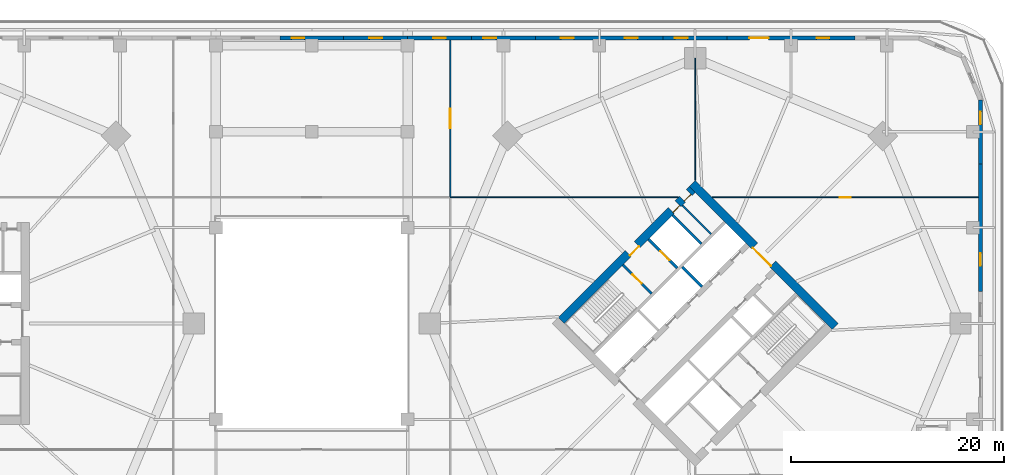
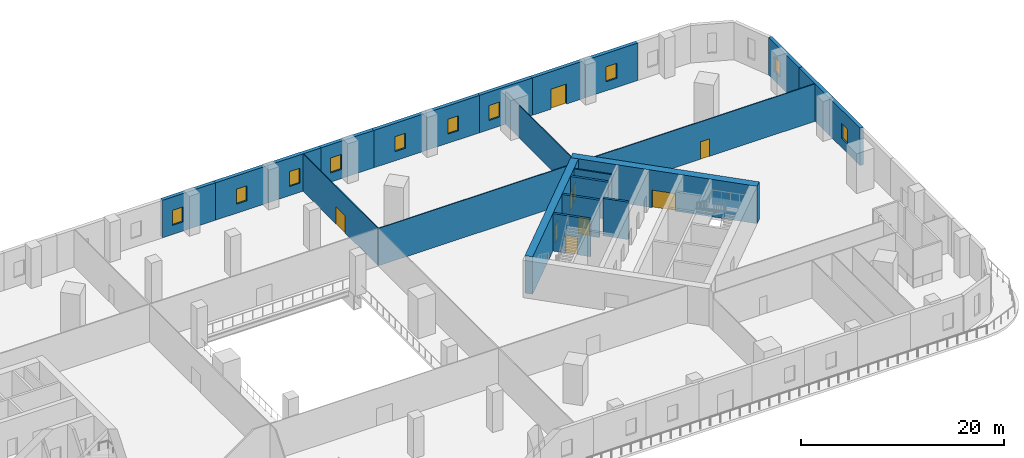
# One storey, part 10 of 16: 23 walls, 10 windows, 9 doors, 19 openings.
"""IFC4 building model written with IfcOpenShell, lengths in metres."""

from ifc_helpers import new_model, si_unit, direction, frame, frame_2d, origin, place, context, subcontext, project, spatial, rectangle, extrude, material, layer, layer_set, type_object, element, fill, save


model = new_model("IFC4")

# Units and contexts
model_context = context("Model", 3, precision=1e-05, world=origin(), true_north=direction((0.0, 1.0)))
body_context = subcontext(model_context, "Body", "Model", "MODEL_VIEW")
ifc_project = project(units=[si_unit("LENGTHUNIT", "METRE"), si_unit("AREAUNIT", "SQUARE_METRE"), si_unit("VOLUMEUNIT", "CUBIC_METRE"), si_unit("PLANEANGLEUNIT", "RADIAN"), si_unit("MASSUNIT", "GRAM", prefix="KILO")], contexts=[model_context])

# Site, building, storey
site_placement = place(None, origin())
site = spatial("IfcSite", under=ifc_project, at=site_placement, CompositionType="ELEMENT")
building_placement = place(site_placement, origin())
building = spatial("IfcBuilding", under=site, at=building_placement, Name="Ogive Gate Towers", CompositionType="ELEMENT")
storey_placement = place(building_placement, frame((0.0, 0.0, 22.800048828125)))
storey = spatial("IfcBuildingStorey", under=building, at=storey_placement, Name="L04", CompositionType="ELEMENT", Elevation=22.800048828125)

# Wall, openings, doors
ifc_material_1 = material(Name="Concrete C60/75", Category="concrete")
ifc_layer_1 = layer(ifc_material_1, 0.800048828125)
ifc_layer_set_1 = layer_set([ifc_layer_1], Name="Core wall 800 mm")
wall_type_1 = type_object("IfcWallType", Name="Core wall 800 mm", PredefinedType="SHEAR", material=ifc_layer_set_1)
wall_1_placement = place(storey_placement, frame((23.41357421875, 0.28271484375, 0.0), z_axis=(0.0, 0.0, 1.0), x_axis=(0.707106781187, 0.707106781187, 0.0)))
wall_1 = element("IfcWall", 1, at=wall_1_placement, inside=storey, type_object=wall_type_1, Name="T2 L04 Core wall 800 mm", PredefinedType="SHEAR", context=body_context, shape_type="SweptSolid", body=[
    extrude(rectangle(XDim=17.400146484375, YDim=0.800048828125, at=frame_2d((8.7001953125, 0.0))), origin(), (0.0, 0.0, 1.0), 4.5),
])
opening_1_placement = place(wall_1_placement, frame((8.89990234375, 0.0, 0.0)))
opening_1 = element("IfcOpeningElement", 2, at=opening_1_placement, cuts=wall_1, Name="Opening KD-T2-L04-15", PredefinedType="OPENING", context=body_context, shape_type="SweptSolid", body=[
    extrude(rectangle(XDim=1.199951171875, YDim=2.10009765625, at=frame_2d((0.60009765625, 1.050048828125))), frame((0.0, 0.41015625, 0.0), z_axis=(0.0, -1.0, 0.0), x_axis=(1.0, 0.0, 0.0)), (0.0, 0.0, 1.0), 0.820068359375),
])
opening_2_placement = place(wall_1_placement, frame((14.60009765625, 0.0, 0.0)))
opening_2 = element("IfcOpeningElement", 3, at=opening_2_placement, cuts=wall_1, Name="Opening KD-T2-L04-17", PredefinedType="OPENING", context=body_context, shape_type="SweptSolid", body=[
    extrude(rectangle(XDim=0.89990234375, YDim=2.10009765625, at=frame_2d((0.449951171875, 1.050048828125))), frame((0.0, 0.41015625, 0.0), z_axis=(0.0, -1.0, 0.0), x_axis=(1.0, 0.0, 0.0)), (0.0, 0.0, 1.0), 0.820068359375),
])
opening_3_placement = place(wall_1_placement, frame((16.10009765625, 0.0, 0.0)))
opening_3 = element("IfcOpeningElement", 4, at=opening_3_placement, cuts=wall_1, Name="Opening KD-T2-L04-18", PredefinedType="OPENING", context=body_context, shape_type="SweptSolid", body=[
    extrude(rectangle(XDim=0.89990234375, YDim=2.10009765625, at=frame_2d((0.449951171875, 1.050048828125))), frame((0.0, 0.41015625, 0.0), z_axis=(0.0, -1.0, 0.0), x_axis=(1.0, 0.0, 0.0)), (0.0, 0.0, 1.0), 0.820068359375),
])
ifc_material_2 = material(Name="Timber door", Category="wood")
door_type_1 = type_object("IfcDoorType", Name="Core WC door 900 x 2100", OperationType="NOTDEFINED", PredefinedType="DOOR", material=ifc_material_2)
door_1_placement = place(opening_2_placement, origin())
door_1 = element("IfcDoor", 5, at=door_1_placement, inside=storey, type_object=door_type_1, Name="T2 L04 Core door", OperationType="SINGLE_SWING_RIGHT", OverallHeight=2.10009765625, OverallWidth=0.89990234375, PredefinedType="DOOR", context=body_context, shape_type="SweptSolid", body=[
    extrude(rectangle(XDim=0.89990234375, YDim=2.10009765625, at=frame_2d((0.449951171875, 1.050048828125))), frame((0.0, -0.22509765625, 0.0), z_axis=(0.0, -1.0, 0.0), x_axis=(1.0, 0.0, 0.0)), (0.0, 0.0, 1.0), 0.050048828125),
])
fill(opening_2, door_1)
door_2_placement = place(opening_3_placement, origin())
door_2 = element("IfcDoor", 6, at=door_2_placement, inside=storey, type_object=door_type_1, Name="T2 L04 Core door", OperationType="SINGLE_SWING_LEFT", OverallHeight=2.10009765625, OverallWidth=0.89990234375, PredefinedType="DOOR", context=body_context, shape_type="SweptSolid", body=[
    extrude(rectangle(XDim=0.89990234375, YDim=2.10009765625, at=frame_2d((0.449951171875, 1.050048828125))), frame((0.0, -0.22509765625, 0.0), z_axis=(0.0, -1.0, 0.0), x_axis=(1.0, 0.0, 0.0)), (0.0, 0.0, 1.0), 0.050048828125),
])
fill(opening_3, door_2)
ifc_material_3 = material(Name="Steel fire door", Category="steel")
door_type_2 = type_object("IfcDoorType", Name="Core door FD60S 1200 x 2100", OperationType="NOTDEFINED", PredefinedType="DOOR", material=ifc_material_3)
door_3_placement = place(opening_1_placement, origin())
door_3 = element("IfcDoor", 7, at=door_3_placement, inside=storey, type_object=door_type_2, Name="T2 L04 Fire-fighting lobby door", OperationType="SINGLE_SWING_RIGHT", OverallHeight=2.10009765625, OverallWidth=1.199951171875, PredefinedType="DOOR", context=body_context, shape_type="SweptSolid", body=[
    extrude(rectangle(XDim=1.199951171875, YDim=2.10009765625, at=frame_2d((0.60009765625, 1.050048828125))), frame((0.0, -0.22509765625, 0.0), z_axis=(0.0, -1.0, 0.0), x_axis=(1.0, 0.0, 0.0)), (0.0, 0.0, 1.0), 0.050048828125),
])
fill(opening_1, door_3)

# Wall, opening, door
wall_2_placement = place(storey_placement, frame((49.152099609375, -0.28271484375, 0.0), z_axis=(0.0, 0.0, 1.0), x_axis=(-0.707106781187, 0.707106781187, 0.0)))
wall_2 = element("IfcWall", 8, at=wall_2_placement, inside=storey, type_object=wall_type_1, Name="T2 L04 Core wall 800 mm", PredefinedType="SHEAR", context=body_context, shape_type="SweptSolid", body=[
    extrude(rectangle(XDim=18.999755859375, YDim=0.800048828125, at=frame_2d((9.5, 0.0))), origin(), (0.0, 0.0, 1.0), 4.5),
])
opening_4_placement = place(wall_2_placement, frame((8.300048828125, 0.0, 0.0)))
opening_4 = element("IfcOpeningElement", 9, at=opening_4_placement, cuts=wall_2, Name="Opening KD-T2-L04-02", PredefinedType="OPENING", context=body_context, shape_type="SweptSolid", body=[
    extrude(rectangle(XDim=2.39990234375, YDim=2.10009765625, at=frame_2d((1.199951171875, 1.050048828125))), frame((0.0, 0.41015625, 0.0), z_axis=(0.0, -1.0, 0.0), x_axis=(1.0, 0.0, 0.0)), (0.0, 0.0, 1.0), 0.820068359375),
])
door_type_3 = type_object("IfcDoorType", Name="Core double door FD60S 2400 x 2100", OperationType="DOUBLE_DOOR_SINGLE_SWING", PredefinedType="DOOR", material=ifc_material_3)
door_4_placement = place(opening_4_placement, origin())
door_4 = element("IfcDoor", 10, at=door_4_placement, inside=storey, type_object=door_type_3, Name="T2 L04 Core door double", OperationType="DOUBLE_DOOR_SINGLE_SWING", OverallHeight=2.10009765625, OverallWidth=2.39990234375, PredefinedType="DOOR", context=body_context, shape_type="SweptSolid", body=[
    extrude(rectangle(XDim=2.39990234375, YDim=2.10009765625, at=frame_2d((1.199951171875, 1.050048828125))), frame((0.0, 0.27490234375, 0.0), z_axis=(0.0, -1.0, 0.0), x_axis=(1.0, 0.0, 0.0)), (0.0, 0.0, 1.0), 0.050048828125),
])
fill(opening_4, door_4)

ifc_material_4 = material(Name="Gypsum board partition")
ifc_layer_2 = layer(ifc_material_4, 0.10009765625)
ifc_layer_set_2 = layer_set([ifc_layer_2], Name="Partition wall 100")
wall_type_2 = type_object("IfcWallType", Name="Partition wall 100", PredefinedType="PARTITIONING", material=ifc_layer_set_2)
wall_3_placement = place(storey_placement, frame((13.0, 11.89990234375, 0.0), z_axis=(0.0, 0.0, 1.0), x_axis=(0.0, 1.0, 0.0)))
wall_3 = element("IfcWall", 11, at=wall_3_placement, inside=storey, type_object=wall_type_2, Name="L04 partition 023", PredefinedType="PARTITIONING", context=body_context, shape_type="SweptSolid", body=[
    extrude(rectangle(XDim=14.7001953125, YDim=0.10009765625, at=frame_2d((7.35009765625, 0.0))), origin(), (0.0, 0.0, 1.0), 4.5),
])
opening_5_placement = place(wall_3_placement, frame((6.449951171875, 0.0, 0.0)))
opening_5 = element("IfcOpeningElement", 12, at=opening_5_placement, cuts=wall_3, Name="Opening PO202", PredefinedType="OPENING", context=body_context, shape_type="SweptSolid", body=[
    extrude(rectangle(XDim=1.800048828125, YDim=2.10009765625, at=frame_2d((0.89990234375, 1.050048828125))), frame((0.0, 0.06005859375, 0.0), z_axis=(0.0, -1.0, 0.0), x_axis=(1.0, 0.0, 0.0)), (0.0, 0.0, 1.0), 0.1201171875),
])
door_type_4 = type_object("IfcDoorType", Name="Double door 1800 x 2100", OperationType="NOTDEFINED", PredefinedType="DOOR", material=ifc_material_2)
door_5_placement = place(opening_5_placement, origin())
door_5 = element("IfcDoor", 13, at=door_5_placement, inside=storey, type_object=door_type_4, Name="Door PO202", OperationType="DOUBLE_DOOR_DOUBLE_SWING", OverallHeight=2.10009765625, OverallWidth=1.800048828125, PredefinedType="DOOR", context=body_context, shape_type="SweptSolid", body=[
    extrude(rectangle(XDim=1.800048828125, YDim=2.10009765625, at=frame_2d((0.89990234375, 1.050048828125))), frame((0.0, 0.02490234375, 0.0), z_axis=(0.0, -1.0, 0.0), x_axis=(1.0, 0.0, 0.0)), (0.0, 0.0, 1.0), 0.050048828125),
])
fill(opening_5, door_5)

# Walls
wall_4_placement = place(storey_placement, frame((36.0, 13.43505859375, 0.0), z_axis=(0.0, 0.0, 1.0), x_axis=(0.0, 1.0, 0.0)))
element("IfcWall", 14, at=wall_4_placement, inside=storey, type_object=wall_type_2, Name="L04 partition 029", PredefinedType="PARTITIONING", context=body_context, shape_type="SweptSolid", body=[
    extrude(rectangle(XDim=13.1650390625, YDim=0.10009765625, at=frame_2d((6.58251953125, 0.0))), origin(), (0.0, 0.0, 1.0), 3.89990234375),
])
wall_5_placement = place(storey_placement, frame((13.0, 11.85009765625, 0.0), z_axis=(0.0, 0.0, 1.0), x_axis=(1.0, 0.0, 0.0)))
element("IfcWall", 15, at=wall_5_placement, inside=storey, type_object=wall_type_2, Name="L04 partition 030", PredefinedType="PARTITIONING", context=body_context, shape_type="SweptSolid", body=[
    extrude(rectangle(XDim=21.4150390625, YDim=0.10009765625, at=frame_2d((10.70751953125, 0.0))), origin(), (0.0, 0.0, 1.0), 4.5),
])

# Wall, opening, door
wall_6_placement = place(storey_placement, frame((37.5849609375, 11.85009765625, 0.0), z_axis=(0.0, 0.0, 1.0), x_axis=(1.0, 0.0, 0.0)))
wall_6 = element("IfcWall", 16, at=wall_6_placement, inside=storey, type_object=wall_type_2, Name="L04 partition 031", PredefinedType="PARTITIONING", context=body_context, shape_type="SweptSolid", body=[
    extrude(rectangle(XDim=25.01513671875, YDim=0.10009765625, at=frame_2d((12.507568359375, 0.0))), origin(), (0.0, 0.0, 1.0), 4.5),
])
opening_6_placement = place(wall_6_placement, frame((12.007568359375, 0.0, 0.0)))
opening_6 = element("IfcOpeningElement", 17, at=opening_6_placement, cuts=wall_6, Name="Opening PO203", PredefinedType="OPENING", context=body_context, shape_type="SweptSolid", body=[
    extrude(rectangle(XDim=1.0, YDim=2.10009765625, at=frame_2d((0.5, 1.050048828125))), frame((0.0, 0.06005859375, 0.0), z_axis=(0.0, -1.0, 0.0), x_axis=(1.0, 0.0, 0.0)), (0.0, 0.0, 1.0), 0.1201171875),
])
door_type_5 = type_object("IfcDoorType", Name="Door 1000 x 2100", OperationType="NOTDEFINED", PredefinedType="DOOR", material=ifc_material_2)
door_6_placement = place(opening_6_placement, origin())
door_6 = element("IfcDoor", 18, at=door_6_placement, inside=storey, type_object=door_type_5, Name="Door PO203", OperationType="SINGLE_SWING_LEFT", OverallHeight=2.10009765625, OverallWidth=1.0, PredefinedType="DOOR", context=body_context, shape_type="SweptSolid", body=[
    extrude(rectangle(XDim=1.0, YDim=2.10009765625, at=frame_2d((0.5, 1.050048828125))), frame((0.0, 0.02490234375, 0.0), z_axis=(0.0, -1.0, 0.0), x_axis=(1.0, 0.0, 0.0)), (0.0, 0.0, 1.0), 0.050048828125),
])
fill(opening_6, door_6)

# Wall, opening, window
ifc_material_5 = material(Name="Precast concrete C40/50", Category="concrete")
ifc_layer_3 = layer(ifc_material_5, 0.39990234375)
ifc_layer_set_3 = layer_set([ifc_layer_3], Name="Podium wall 400")
wall_type_3 = type_object("IfcWallType", Name="Podium wall 400", PredefinedType="SOLIDWALL", material=ifc_layer_set_3)
wall_7_placement = place(storey_placement, frame((62.800048828125, 3.0, 0.0), z_axis=(0.0, 0.0, 1.0), x_axis=(0.0, 1.0, 0.0)))
wall_7 = element("IfcWall", 19, at=wall_7_placement, inside=storey, type_object=wall_type_3, Name="Podium wall", PredefinedType="SOLIDWALL", context=body_context, shape_type="SweptSolid", body=[
    extrude(rectangle(XDim=6.0, YDim=0.39990234375, at=frame_2d((3.0, 0.0))), origin(), (0.0, 0.0, 1.0), 4.5),
])
opening_7_placement = place(wall_7_placement, frame((2.39990234375, 0.0, 1.10009765625)))
opening_7 = element("IfcOpeningElement", 20, at=opening_7_placement, cuts=wall_7, Name="Opening WN3", PredefinedType="OPENING", context=body_context, shape_type="SweptSolid", body=[
    extrude(rectangle(XDim=1.199951171875, YDim=1.800048828125, at=frame_2d((0.60009765625, 0.89990234375))), frame((0.0, 0.2099609375, 0.0), z_axis=(0.0, -1.0, 0.0), x_axis=(1.0, 0.0, 0.0)), (0.0, 0.0, 1.0), 0.419921875),
])
ifc_material_6 = material(Name="Clear glass", Category="glass")
window_type = type_object("IfcWindowType", Name="Podium window 1200 x 1800", PartitioningType="SINGLE_PANEL", PredefinedType="WINDOW", material=ifc_material_6)
window_1_placement = place(opening_7_placement, origin())
window_1 = element("IfcWindow", 21, at=window_1_placement, inside=storey, type_object=window_type, Name="Podium window", OverallHeight=1.800048828125, OverallWidth=1.199951171875, PartitioningType="SINGLE_PANEL", PredefinedType="WINDOW", context=body_context, shape_type="SweptSolid", body=[
    extrude(rectangle(XDim=1.199951171875, YDim=1.800048828125, at=frame_2d((0.60009765625, 0.89990234375))), frame((0.0, 0.030029296875, 0.0), z_axis=(0.0, -1.0, 0.0), x_axis=(1.0, 0.0, 0.0)), (0.0, 0.0, 1.0), 0.06005859375),
])
fill(opening_7, window_1)

# Wall
wall_8_placement = place(storey_placement, frame((62.800048828125, 9.0, 0.0), z_axis=(0.0, 0.0, 1.0), x_axis=(0.0, 1.0, 0.0)))
element("IfcWall", 22, at=wall_8_placement, inside=storey, type_object=wall_type_3, Name="Podium wall", PredefinedType="SOLIDWALL", context=body_context, shape_type="SweptSolid", body=[
    extrude(rectangle(XDim=6.0, YDim=0.39990234375, at=frame_2d((3.0, 0.0))), origin(), (0.0, 0.0, 1.0), 4.5),
])

# Wall, opening, window
wall_9_placement = place(storey_placement, frame((62.800048828125, 15.0, 0.0), z_axis=(0.0, 0.0, 1.0), x_axis=(0.0, 1.0, 0.0)))
wall_9 = element("IfcWall", 23, at=wall_9_placement, inside=storey, type_object=wall_type_3, Name="Podium wall", PredefinedType="SOLIDWALL", context=body_context, shape_type="SweptSolid", body=[
    extrude(rectangle(XDim=6.0, YDim=0.39990234375, at=frame_2d((3.0, 0.0))), origin(), (0.0, 0.0, 1.0), 4.5),
])
opening_8_placement = place(wall_9_placement, frame((3.699951171875, 0.0, 1.10009765625)))
opening_8 = element("IfcOpeningElement", 24, at=opening_8_placement, cuts=wall_9, Name="Opening WN3", PredefinedType="OPENING", context=body_context, shape_type="SweptSolid", body=[
    extrude(rectangle(XDim=1.199951171875, YDim=1.800048828125, at=frame_2d((0.60009765625, 0.89990234375))), frame((0.0, 0.2099609375, 0.0), z_axis=(0.0, -1.0, 0.0), x_axis=(1.0, 0.0, 0.0)), (0.0, 0.0, 1.0), 0.419921875),
])
window_2_placement = place(opening_8_placement, origin())
window_2 = element("IfcWindow", 25, at=window_2_placement, inside=storey, type_object=window_type, Name="Podium window", OverallHeight=1.800048828125, OverallWidth=1.199951171875, PartitioningType="SINGLE_PANEL", PredefinedType="WINDOW", context=body_context, shape_type="SweptSolid", body=[
    extrude(rectangle(XDim=1.199951171875, YDim=1.800048828125, at=frame_2d((0.60009765625, 0.89990234375))), frame((0.0, 0.030029296875, 0.0), z_axis=(0.0, -1.0, 0.0), x_axis=(1.0, 0.0, 0.0)), (0.0, 0.0, 1.0), 0.06005859375),
])
fill(opening_8, window_2)

wall_10_placement = place(storey_placement, frame((51.0, 26.800048828125, 0.0), z_axis=(0.0, 0.0, 1.0), x_axis=(-1.0, 0.0, 0.0)))
wall_10 = element("IfcWall", 26, at=wall_10_placement, inside=storey, type_object=wall_type_3, Name="Podium wall", PredefinedType="SOLIDWALL", context=body_context, shape_type="SweptSolid", body=[
    extrude(rectangle(XDim=6.0, YDim=0.39990234375, at=frame_2d((3.0, 0.0))), origin(), (0.0, 0.0, 1.0), 4.5),
])
opening_9_placement = place(wall_10_placement, frame((2.39990234375, 0.0, 1.10009765625)))
opening_9 = element("IfcOpeningElement", 27, at=opening_9_placement, cuts=wall_10, Name="Opening WN3", PredefinedType="OPENING", context=body_context, shape_type="SweptSolid", body=[
    extrude(rectangle(XDim=1.199951171875, YDim=1.800048828125, at=frame_2d((0.60009765625, 0.89990234375))), frame((0.0, 0.2099609375, 0.0), z_axis=(0.0, -1.0, 0.0), x_axis=(1.0, 0.0, 0.0)), (0.0, 0.0, 1.0), 0.419921875),
])
window_3_placement = place(opening_9_placement, origin())
window_3 = element("IfcWindow", 28, at=window_3_placement, inside=storey, type_object=window_type, Name="Podium window", OverallHeight=1.800048828125, OverallWidth=1.199951171875, PartitioningType="SINGLE_PANEL", PredefinedType="WINDOW", context=body_context, shape_type="SweptSolid", body=[
    extrude(rectangle(XDim=1.199951171875, YDim=1.800048828125, at=frame_2d((0.60009765625, 0.89990234375))), frame((0.0, 0.030029296875, 0.0), z_axis=(0.0, -1.0, 0.0), x_axis=(1.0, 0.0, 0.0)), (0.0, 0.0, 1.0), 0.06005859375),
])
fill(opening_9, window_3)

# Wall, opening, door
wall_11_placement = place(storey_placement, frame((45.0, 26.800048828125, 0.0), z_axis=(0.0, 0.0, 1.0), x_axis=(-1.0, 0.0, 0.0)))
wall_11 = element("IfcWall", 29, at=wall_11_placement, inside=storey, type_object=wall_type_3, Name="Podium wall", PredefinedType="SOLIDWALL", context=body_context, shape_type="SweptSolid", body=[
    extrude(rectangle(XDim=6.0, YDim=0.39990234375, at=frame_2d((3.0, 0.0))), origin(), (0.0, 0.0, 1.0), 4.5),
])
opening_10_placement = place(wall_11_placement, frame((2.10009765625, 0.0, 0.0)))
opening_10 = element("IfcOpeningElement", 30, at=opening_10_placement, cuts=wall_11, Name="Opening ED3-L04-02", PredefinedType="OPENING", context=body_context, shape_type="SweptSolid", body=[
    extrude(rectangle(XDim=1.800048828125, YDim=2.39990234375, at=frame_2d((0.89990234375, 1.199951171875))), frame((0.0, 0.2099609375, 0.0), z_axis=(0.0, -1.0, 0.0), x_axis=(1.0, 0.0, 0.0)), (0.0, 0.0, 1.0), 0.419921875),
])
ifc_material_7 = material(Name="Pale metal aluminium", Category="aluminium")
door_type_6 = type_object("IfcDoorType", Name="Terrace door 1800 x 2400", OperationType="DOUBLE_DOOR_SINGLE_SWING", PredefinedType="DOOR", material=ifc_material_7)
door_7_placement = place(opening_10_placement, origin())
door_7 = element("IfcDoor", 31, at=door_7_placement, inside=storey, type_object=door_type_6, Name="Exterior door", OperationType="SINGLE_SWING_LEFT", OverallHeight=2.39990234375, OverallWidth=1.800048828125, PredefinedType="DOOR", context=body_context, shape_type="SweptSolid", body=[
    extrude(rectangle(XDim=1.800048828125, YDim=2.39990234375, at=frame_2d((0.89990234375, 1.199951171875))), frame((0.0, 0.02490234375, 0.0), z_axis=(0.0, -1.0, 0.0), x_axis=(1.0, 0.0, 0.0)), (0.0, 0.0, 1.0), 0.050048828125),
])
fill(opening_10, door_7)

# Wall, opening, window
wall_12_placement = place(storey_placement, frame((39.0, 26.800048828125, 0.0), z_axis=(0.0, 0.0, 1.0), x_axis=(-1.0, 0.0, 0.0)))
wall_12 = element("IfcWall", 32, at=wall_12_placement, inside=storey, type_object=wall_type_3, Name="Podium wall", PredefinedType="SOLIDWALL", context=body_context, shape_type="SweptSolid", body=[
    extrude(rectangle(XDim=6.0, YDim=0.39990234375, at=frame_2d((3.0, 0.0))), origin(), (0.0, 0.0, 1.0), 4.5),
])
opening_11_placement = place(wall_12_placement, frame((3.699951171875, 0.0, 1.10009765625)))
opening_11 = element("IfcOpeningElement", 33, at=opening_11_placement, cuts=wall_12, Name="Opening WN3", PredefinedType="OPENING", context=body_context, shape_type="SweptSolid", body=[
    extrude(rectangle(XDim=1.199951171875, YDim=1.800048828125, at=frame_2d((0.60009765625, 0.89990234375))), frame((0.0, 0.2099609375, 0.0), z_axis=(0.0, -1.0, 0.0), x_axis=(1.0, 0.0, 0.0)), (0.0, 0.0, 1.0), 0.419921875),
])
window_4_placement = place(opening_11_placement, origin())
window_4 = element("IfcWindow", 34, at=window_4_placement, inside=storey, type_object=window_type, Name="Podium window", OverallHeight=1.800048828125, OverallWidth=1.199951171875, PartitioningType="SINGLE_PANEL", PredefinedType="WINDOW", context=body_context, shape_type="SweptSolid", body=[
    extrude(rectangle(XDim=1.199951171875, YDim=1.800048828125, at=frame_2d((0.60009765625, 0.89990234375))), frame((0.0, 0.030029296875, 0.0), z_axis=(0.0, -1.0, 0.0), x_axis=(1.0, 0.0, 0.0)), (0.0, 0.0, 1.0), 0.06005859375),
])
fill(opening_11, window_4)

wall_13_placement = place(storey_placement, frame((33.0, 26.800048828125, 0.0), z_axis=(0.0, 0.0, 1.0), x_axis=(-1.0, 0.0, 0.0)))
wall_13 = element("IfcWall", 35, at=wall_13_placement, inside=storey, type_object=wall_type_3, Name="Podium wall", PredefinedType="SOLIDWALL", context=body_context, shape_type="SweptSolid", body=[
    extrude(rectangle(XDim=6.0, YDim=0.39990234375, at=frame_2d((3.0, 0.0))), origin(), (0.0, 0.0, 1.0), 4.5),
])
opening_12_placement = place(wall_13_placement, frame((2.39990234375, 0.0, 1.10009765625)))
opening_12 = element("IfcOpeningElement", 36, at=opening_12_placement, cuts=wall_13, Name="Opening WN3", PredefinedType="OPENING", context=body_context, shape_type="SweptSolid", body=[
    extrude(rectangle(XDim=1.199951171875, YDim=1.800048828125, at=frame_2d((0.60009765625, 0.89990234375))), frame((0.0, 0.2099609375, 0.0), z_axis=(0.0, -1.0, 0.0), x_axis=(1.0, 0.0, 0.0)), (0.0, 0.0, 1.0), 0.419921875),
])
window_5_placement = place(opening_12_placement, origin())
window_5 = element("IfcWindow", 37, at=window_5_placement, inside=storey, type_object=window_type, Name="Podium window", OverallHeight=1.800048828125, OverallWidth=1.199951171875, PartitioningType="SINGLE_PANEL", PredefinedType="WINDOW", context=body_context, shape_type="SweptSolid", body=[
    extrude(rectangle(XDim=1.199951171875, YDim=1.800048828125, at=frame_2d((0.60009765625, 0.89990234375))), frame((0.0, 0.030029296875, 0.0), z_axis=(0.0, -1.0, 0.0), x_axis=(1.0, 0.0, 0.0)), (0.0, 0.0, 1.0), 0.06005859375),
])
fill(opening_12, window_5)

wall_14_placement = place(storey_placement, frame((27.0, 26.800048828125, 0.0), z_axis=(0.0, 0.0, 1.0), x_axis=(-1.0, 0.0, 0.0)))
wall_14 = element("IfcWall", 38, at=wall_14_placement, inside=storey, type_object=wall_type_3, Name="Podium wall", PredefinedType="SOLIDWALL", context=body_context, shape_type="SweptSolid", body=[
    extrude(rectangle(XDim=6.0, YDim=0.39990234375, at=frame_2d((3.0, 0.0))), origin(), (0.0, 0.0, 1.0), 4.5),
])
opening_13_placement = place(wall_14_placement, frame((2.39990234375, 0.0, 1.10009765625)))
opening_13 = element("IfcOpeningElement", 39, at=opening_13_placement, cuts=wall_14, Name="Opening WN3", PredefinedType="OPENING", context=body_context, shape_type="SweptSolid", body=[
    extrude(rectangle(XDim=1.199951171875, YDim=1.800048828125, at=frame_2d((0.60009765625, 0.89990234375))), frame((0.0, 0.2099609375, 0.0), z_axis=(0.0, -1.0, 0.0), x_axis=(1.0, 0.0, 0.0)), (0.0, 0.0, 1.0), 0.419921875),
])
window_6_placement = place(opening_13_placement, origin())
window_6 = element("IfcWindow", 40, at=window_6_placement, inside=storey, type_object=window_type, Name="Podium window", OverallHeight=1.800048828125, OverallWidth=1.199951171875, PartitioningType="SINGLE_PANEL", PredefinedType="WINDOW", context=body_context, shape_type="SweptSolid", body=[
    extrude(rectangle(XDim=1.199951171875, YDim=1.800048828125, at=frame_2d((0.60009765625, 0.89990234375))), frame((0.0, 0.030029296875, 0.0), z_axis=(0.0, -1.0, 0.0), x_axis=(1.0, 0.0, 0.0)), (0.0, 0.0, 1.0), 0.06005859375),
])
fill(opening_13, window_6)

wall_15_placement = place(storey_placement, frame((21.0, 26.800048828125, 0.0), z_axis=(0.0, 0.0, 1.0), x_axis=(-1.0, 0.0, 0.0)))
wall_15 = element("IfcWall", 41, at=wall_15_placement, inside=storey, type_object=wall_type_3, Name="Podium wall", PredefinedType="SOLIDWALL", context=body_context, shape_type="SweptSolid", body=[
    extrude(rectangle(XDim=6.0, YDim=0.39990234375, at=frame_2d((3.0, 0.0))), origin(), (0.0, 0.0, 1.0), 4.5),
])
opening_14_placement = place(wall_15_placement, frame((3.699951171875, 0.0, 1.10009765625)))
opening_14 = element("IfcOpeningElement", 42, at=opening_14_placement, cuts=wall_15, Name="Opening WN3", PredefinedType="OPENING", context=body_context, shape_type="SweptSolid", body=[
    extrude(rectangle(XDim=1.199951171875, YDim=1.800048828125, at=frame_2d((0.60009765625, 0.89990234375))), frame((0.0, 0.2099609375, 0.0), z_axis=(0.0, -1.0, 0.0), x_axis=(1.0, 0.0, 0.0)), (0.0, 0.0, 1.0), 0.419921875),
])
window_7_placement = place(opening_14_placement, origin())
window_7 = element("IfcWindow", 43, at=window_7_placement, inside=storey, type_object=window_type, Name="Podium window", OverallHeight=1.800048828125, OverallWidth=1.199951171875, PartitioningType="SINGLE_PANEL", PredefinedType="WINDOW", context=body_context, shape_type="SweptSolid", body=[
    extrude(rectangle(XDim=1.199951171875, YDim=1.800048828125, at=frame_2d((0.60009765625, 0.89990234375))), frame((0.0, 0.030029296875, 0.0), z_axis=(0.0, -1.0, 0.0), x_axis=(1.0, 0.0, 0.0)), (0.0, 0.0, 1.0), 0.06005859375),
])
fill(opening_14, window_7)

wall_16_placement = place(storey_placement, frame((15.0, 26.800048828125, 0.0), z_axis=(0.0, 0.0, 1.0), x_axis=(-1.0, 0.0, 0.0)))
wall_16 = element("IfcWall", 44, at=wall_16_placement, inside=storey, type_object=wall_type_3, Name="Podium wall", PredefinedType="SOLIDWALL", context=body_context, shape_type="SweptSolid", body=[
    extrude(rectangle(XDim=6.0, YDim=0.39990234375, at=frame_2d((3.0, 0.0))), origin(), (0.0, 0.0, 1.0), 4.5),
])
opening_15_placement = place(wall_16_placement, frame((2.39990234375, 0.0, 1.10009765625)))
opening_15 = element("IfcOpeningElement", 45, at=opening_15_placement, cuts=wall_16, Name="Opening WN3", PredefinedType="OPENING", context=body_context, shape_type="SweptSolid", body=[
    extrude(rectangle(XDim=1.199951171875, YDim=1.800048828125, at=frame_2d((0.60009765625, 0.89990234375))), frame((0.0, 0.2099609375, 0.0), z_axis=(0.0, -1.0, 0.0), x_axis=(1.0, 0.0, 0.0)), (0.0, 0.0, 1.0), 0.419921875),
])
window_8_placement = place(opening_15_placement, origin())
window_8 = element("IfcWindow", 46, at=window_8_placement, inside=storey, type_object=window_type, Name="Podium window", OverallHeight=1.800048828125, OverallWidth=1.199951171875, PartitioningType="SINGLE_PANEL", PredefinedType="WINDOW", context=body_context, shape_type="SweptSolid", body=[
    extrude(rectangle(XDim=1.199951171875, YDim=1.800048828125, at=frame_2d((0.60009765625, 0.89990234375))), frame((0.0, 0.030029296875, 0.0), z_axis=(0.0, -1.0, 0.0), x_axis=(1.0, 0.0, 0.0)), (0.0, 0.0, 1.0), 0.06005859375),
])
fill(opening_15, window_8)

wall_17_placement = place(storey_placement, frame((9.0, 26.800048828125, 0.0), z_axis=(0.0, 0.0, 1.0), x_axis=(-1.0, 0.0, 0.0)))
wall_17 = element("IfcWall", 47, at=wall_17_placement, inside=storey, type_object=wall_type_3, Name="Podium wall", PredefinedType="SOLIDWALL", context=body_context, shape_type="SweptSolid", body=[
    extrude(rectangle(XDim=6.0, YDim=0.39990234375, at=frame_2d((3.0, 0.0))), origin(), (0.0, 0.0, 1.0), 4.5),
])
opening_16_placement = place(wall_17_placement, frame((2.39990234375, 0.0, 1.10009765625)))
opening_16 = element("IfcOpeningElement", 48, at=opening_16_placement, cuts=wall_17, Name="Opening WN3", PredefinedType="OPENING", context=body_context, shape_type="SweptSolid", body=[
    extrude(rectangle(XDim=1.199951171875, YDim=1.800048828125, at=frame_2d((0.60009765625, 0.89990234375))), frame((0.0, 0.2099609375, 0.0), z_axis=(0.0, -1.0, 0.0), x_axis=(1.0, 0.0, 0.0)), (0.0, 0.0, 1.0), 0.419921875),
])
window_9_placement = place(opening_16_placement, origin())
window_9 = element("IfcWindow", 49, at=window_9_placement, inside=storey, type_object=window_type, Name="Podium window", OverallHeight=1.800048828125, OverallWidth=1.199951171875, PartitioningType="SINGLE_PANEL", PredefinedType="WINDOW", context=body_context, shape_type="SweptSolid", body=[
    extrude(rectangle(XDim=1.199951171875, YDim=1.800048828125, at=frame_2d((0.60009765625, 0.89990234375))), frame((0.0, 0.030029296875, 0.0), z_axis=(0.0, -1.0, 0.0), x_axis=(1.0, 0.0, 0.0)), (0.0, 0.0, 1.0), 0.06005859375),
])
fill(opening_16, window_9)

wall_18_placement = place(storey_placement, frame((3.0, 26.800048828125, 0.0), z_axis=(0.0, 0.0, 1.0), x_axis=(-1.0, 0.0, 0.0)))
wall_18 = element("IfcWall", 50, at=wall_18_placement, inside=storey, type_object=wall_type_3, Name="Podium wall", PredefinedType="SOLIDWALL", context=body_context, shape_type="SweptSolid", body=[
    extrude(rectangle(XDim=6.0, YDim=0.39990234375, at=frame_2d((3.0, 0.0))), origin(), (0.0, 0.0, 1.0), 4.5),
])
opening_17_placement = place(wall_18_placement, frame((3.699951171875, 0.0, 1.10009765625)))
opening_17 = element("IfcOpeningElement", 51, at=opening_17_placement, cuts=wall_18, Name="Opening WN3", PredefinedType="OPENING", context=body_context, shape_type="SweptSolid", body=[
    extrude(rectangle(XDim=1.199951171875, YDim=1.800048828125, at=frame_2d((0.60009765625, 0.89990234375))), frame((0.0, 0.2099609375, 0.0), z_axis=(0.0, -1.0, 0.0), x_axis=(1.0, 0.0, 0.0)), (0.0, 0.0, 1.0), 0.419921875),
])
window_10_placement = place(opening_17_placement, origin())
window_10 = element("IfcWindow", 52, at=window_10_placement, inside=storey, type_object=window_type, Name="Podium window", OverallHeight=1.800048828125, OverallWidth=1.199951171875, PartitioningType="SINGLE_PANEL", PredefinedType="WINDOW", context=body_context, shape_type="SweptSolid", body=[
    extrude(rectangle(XDim=1.199951171875, YDim=1.800048828125, at=frame_2d((0.60009765625, 0.89990234375))), frame((0.0, 0.030029296875, 0.0), z_axis=(0.0, -1.0, 0.0), x_axis=(1.0, 0.0, 0.0)), (0.0, 0.0, 1.0), 0.06005859375),
])
fill(opening_17, window_10)

# Wall
ifc_layer_4 = layer(ifc_material_4, 0.14990234375)
ifc_layer_set_4 = layer_set([ifc_layer_4], Name="Room partition 150 mm")
wall_type_4 = type_object("IfcWallType", Name="Room partition 150 mm", PredefinedType="PARTITIONING", material=ifc_layer_set_4)
wall_19_placement = place(storey_placement, frame((37.502685546875, 8.39697265625, 0.0), z_axis=(0.0, 0.0, 1.0), x_axis=(-0.707138693938, 0.707074866995, 0.0)))
element("IfcWall", 53, at=wall_19_placement, inside=storey, type_object=wall_type_4, Name="T2 L04 Room partition 150 mm", PredefinedType="PARTITIONING", context=body_context, shape_type="SweptSolid", body=[
    extrude(rectangle(XDim=3.824951171875, YDim=0.14990234375, at=frame_2d((1.91259765625, 0.0))), origin(), (0.0, 0.0, 1.0), 4.5),
])

# Wall, opening, door
ifc_layer_5 = layer(ifc_material_1, 0.25)
ifc_layer_set_5 = layer_set([ifc_layer_5], Name="Shaft wall 250 mm")
wall_type_5 = type_object("IfcWallType", Name="Shaft wall 250 mm", PredefinedType="SHEAR", material=ifc_layer_set_5)
wall_20_placement = place(storey_placement, frame((31.91650390625, 2.810791015625, 0.0), z_axis=(0.0, 0.0, 1.0), x_axis=(-0.707106781187, 0.707106781187, 0.0)))
wall_20 = element("IfcWall", 54, at=wall_20_placement, inside=storey, type_object=wall_type_5, Name="T2 L04 Shaft wall 250 mm", PredefinedType="SHEAR", context=body_context, shape_type="SweptSolid", body=[
    extrude(rectangle(XDim=3.824951171875, YDim=0.25, at=frame_2d((1.91259765625, 0.0))), origin(), (0.0, 0.0, 1.0), 4.5),
])
opening_18_placement = place(wall_20_placement, frame((1.324951171875, 0.0, 0.0)))
opening_18 = element("IfcOpeningElement", 55, at=opening_18_placement, cuts=wall_20, Name="Opening KD-T2-L04-13", PredefinedType="OPENING", context=body_context, shape_type="SweptSolid", body=[
    extrude(rectangle(XDim=1.199951171875, YDim=2.10009765625, at=frame_2d((0.60009765625, 1.050048828125))), frame((0.0, 0.135009765625, 0.0), z_axis=(0.0, -1.0, 0.0), x_axis=(1.0, 0.0, 0.0)), (0.0, 0.0, 1.0), 0.27001953125),
])
door_8_placement = place(opening_18_placement, origin())
door_8 = element("IfcDoor", 56, at=door_8_placement, inside=storey, type_object=door_type_2, Name="T2 L04 Stair door", OperationType="SINGLE_SWING_RIGHT", OverallHeight=2.10009765625, OverallWidth=1.199951171875, PredefinedType="DOOR", context=body_context, shape_type="SweptSolid", body=[
    extrude(rectangle(XDim=1.199951171875, YDim=2.10009765625, at=frame_2d((0.60009765625, 1.050048828125))), frame((0.0, 0.02490234375, 0.0), z_axis=(0.0, -1.0, 0.0), x_axis=(1.0, 0.0, 0.0)), (0.0, 0.0, 1.0), 0.050048828125),
])
fill(opening_18, door_8)

wall_21_placement = place(storey_placement, frame((34.320556640625, 5.21484375, 0.0), z_axis=(0.0, 0.0, 1.0), x_axis=(-0.707074866995, 0.707138693938, 0.0)))
wall_21 = element("IfcWall", 57, at=wall_21_placement, inside=storey, type_object=wall_type_5, Name="T2 L04 Shaft wall 250 mm", PredefinedType="SHEAR", context=body_context, shape_type="SweptSolid", body=[
    extrude(rectangle(XDim=3.824951171875, YDim=0.25, at=frame_2d((1.91259765625, 0.0))), origin(), (0.0, 0.0, 1.0), 4.5),
])
opening_19_placement = place(wall_21_placement, frame((1.02490234375, 0.0, 0.0)))
opening_19 = element("IfcOpeningElement", 58, at=opening_19_placement, cuts=wall_21, Name="Opening LD-T2-L04-10", PredefinedType="OPENING", context=body_context, shape_type="SweptSolid", body=[
    extrude(rectangle(XDim=1.199951171875, YDim=2.10009765625, at=frame_2d((0.60009765625, 1.050048828125))), frame((0.0, 0.135009765625, 0.0), z_axis=(0.0, -1.0, 0.0), x_axis=(1.0, 0.0, 0.0)), (0.0, 0.0, 1.0), 0.27001953125),
])
ifc_material_8 = material(Name="Stainless steel landing door", Category="steel")
door_type_7 = type_object("IfcDoorType", Name="Landing door 1200 x 2100", OperationType="SLIDING_TO_LEFT", PredefinedType="DOOR", material=ifc_material_8)
door_9_placement = place(opening_19_placement, origin())
door_9 = element("IfcDoor", 59, at=door_9_placement, inside=storey, type_object=door_type_7, Name="T2 L04 Lift landing door FF1", OperationType="SLIDING_TO_LEFT", OverallHeight=2.10009765625, OverallWidth=1.199951171875, PredefinedType="DOOR", context=body_context, shape_type="SweptSolid", body=[
    extrude(rectangle(XDim=1.199951171875, YDim=2.10009765625, at=frame_2d((0.60009765625, 1.050048828125))), frame((0.0, 0.02490234375, 0.0), z_axis=(0.0, -1.0, 0.0), x_axis=(1.0, 0.0, 0.0)), (0.0, 0.0, 1.0), 0.050048828125),
])
fill(opening_19, door_9)

# Walls
wall_22_placement = place(storey_placement, frame((36.636474609375, 3.46484375, 0.0), z_axis=(0.0, 0.0, 1.0), x_axis=(-0.707106781187, 0.707106781187, 0.0)))
element("IfcWall", 60, at=wall_22_placement, inside=storey, type_object=wall_type_5, Name="T2 L04 Shaft wall 250 mm", PredefinedType="SHEAR", context=body_context, shape_type="SweptSolid", body=[
    extrude(rectangle(XDim=2.625, YDim=0.25, at=frame_2d((1.3125, 0.0))), origin(), (0.0, 0.0, 1.0), 4.5),
])
wall_23_placement = place(storey_placement, frame((36.58349609375, 7.477783203125, 0.0), z_axis=(0.0, 0.0, 1.0), x_axis=(-0.707138693938, 0.707074866995, 0.0)))
element("IfcWall", 61, at=wall_23_placement, inside=storey, type_object=wall_type_5, Name="T2 L04 Shaft wall 250 mm", PredefinedType="SHEAR", context=body_context, shape_type="SweptSolid", body=[
    extrude(rectangle(XDim=3.824951171875, YDim=0.25, at=frame_2d((1.91259765625, 0.0))), origin(), (0.0, 0.0, 1.0), 4.5),
])

save(model, "model.ifc")
